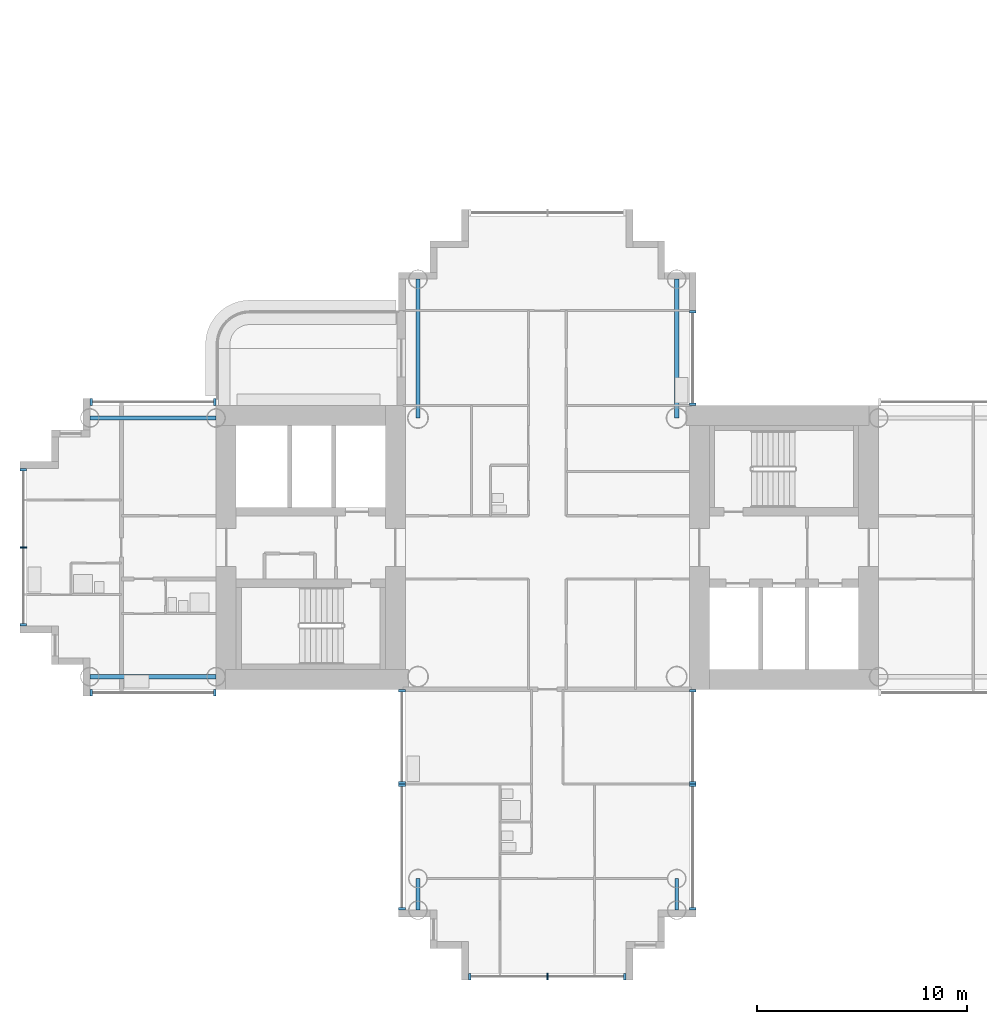
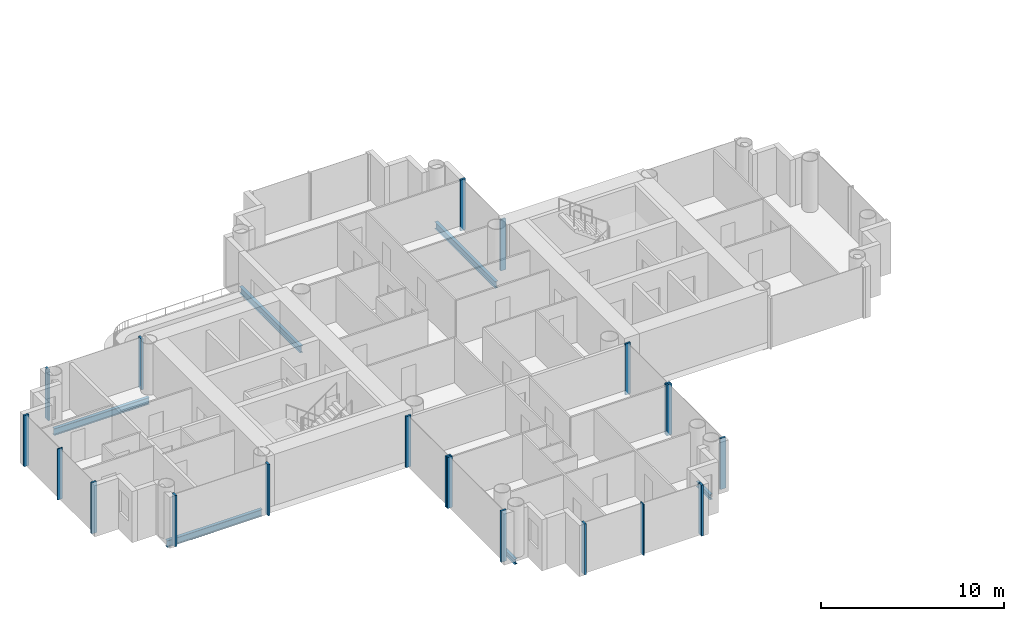
# One storey, part 3 of 22: 20 members, 6 beams, 9 elements without a shape of their own.
"""IFC4 building model written with IfcOpenShell, lengths in metres."""

from ifc_helpers import new_model, si_unit, direction, frame, origin, origin_2d, place, context, subcontext, project, spatial, rectangle, i_section, extrude, material, layer, layer_set, material_profile, profile_set, type_object, element, aggregate, save


model = new_model("IFC4")

# Units and contexts
model_context = context("Model", 3, precision=1e-05, world=origin(), true_north=direction((0.0, 1.0)))
body_context = subcontext(model_context, "Body", "Model", "MODEL_VIEW")
ifc_project = project(units=[si_unit("LENGTHUNIT", "METRE"), si_unit("AREAUNIT", "SQUARE_METRE"), si_unit("VOLUMEUNIT", "CUBIC_METRE"), si_unit("PLANEANGLEUNIT", "RADIAN"), si_unit("MASSUNIT", "GRAM", prefix="KILO")], contexts=[model_context])

# Site, building, storey
site_placement = place(None, origin())
site = spatial("IfcSite", under=ifc_project, at=site_placement, CompositionType="ELEMENT")
building_placement = place(site_placement, origin())
building = spatial("IfcBuilding", under=site, at=building_placement, Name="Ipe Terrace Towers", CompositionType="ELEMENT")
storey_placement = place(building_placement, frame((0.0, 0.0, 90.199951171875)))
storey = spatial("IfcBuildingStorey", under=building, at=storey_placement, Name="L24", CompositionType="ELEMENT", Elevation=90.199951171875)

# Beams
ifc_material_1 = material(Name="Steel S355", Category="steel")
ifc_material_profile_1 = material_profile(ifc_material_1, i_section(OverallWidth=0.175048828125, OverallDepth=0.35009765625, WebThickness=0.007080078125, FlangeThickness=0.010986328125, at=origin_2d()), Name="H-350x175x7x11")
ifc_profile_set_1 = profile_set([ifc_material_profile_1], Name="Steel S355")
beam_type_1 = type_object("IfcBeamType", Name="H04 EDGE BEAM H-350x175x7x11", PredefinedType="BEAM", material=ifc_profile_set_1)
for number, where, z_axis, x_axis, name in (
    (1, (-42.14990234375, -15.75, -0.574951171875), (0.0, -1.0, 0.0), (1.0, 0.0, 0.0), "Edge beam T1-EB-D03-D05"),
    (2, (-29.85009765625, -15.75, -0.574951171875), (0.0, -1.0, 0.0), (1.0, 0.0, 0.0), "Edge beam T1-EB-D04-D06"),
):
    element("IfcBeam", number, at=place(storey_placement, frame(where, z_axis=z_axis, x_axis=x_axis)), inside=storey, type_object=beam_type_1, Name=name, PredefinedType="BEAM", context=body_context, shape_type="SweptSolid", body=[
        extrude(i_section(OverallWidth=0.175048828125, OverallDepth=0.35009765625, WebThickness=0.007080078125, FlangeThickness=0.010986328125, at=origin_2d()), origin(), (0.0, 0.0, 1.0), 1.5),
    ])
ifc_material_2 = material(Name="Steel S355", Category="steel")
ifc_material_profile_2 = material_profile(ifc_material_2, i_section(OverallWidth=0.199951171875, OverallDepth=0.449951171875, WebThickness=0.009033203125, FlangeThickness=0.013916015625, at=origin_2d()), Name="H-450x200x9x14")
ifc_profile_set_2 = profile_set([ifc_material_profile_2], Name="Steel S355")
beam_type_2 = type_object("IfcBeamType", Name="H08 EDGE BEAM H-450x200x9x14", PredefinedType="BEAM", material=ifc_profile_set_2)
for number, where, z_axis, x_axis, name in (
    (3, (-29.85009765625, 12.75, -0.625), (0.0, -1.0, 0.0), (1.0, 0.0, 0.0), "Edge beam T1-EB-B01-E03"),
    (4, (-42.14990234375, 12.75, -0.625), (0.0, -1.0, 0.0), (1.0, 0.0, 0.0), "Edge beam T1-EB-B02-E04"),
):
    element("IfcBeam", number, at=place(storey_placement, frame(where, z_axis=z_axis, x_axis=x_axis)), inside=storey, type_object=beam_type_2, Name=name, PredefinedType="BEAM", context=body_context, shape_type="SweptSolid", body=[
        extrude(i_section(OverallWidth=0.199951171875, OverallDepth=0.449951171875, WebThickness=0.009033203125, FlangeThickness=0.013916015625, at=origin_2d()), origin(), (0.0, 0.0, 1.0), 6.60009765625),
    ])
for number, where, z_axis, x_axis, name in (
    (5, (-51.75, -6.14990234375, -0.625), (-1.0, 0.0, 0.0), (0.0, -1.0, 0.0), "Edge beam T1-EB-C01-C03"),
    (6, (-51.75, 6.14990234375, -0.625), (-1.0, 0.0, 0.0), (0.0, -1.0, 0.0), "Edge beam T1-EB-C02-C04"),
):
    element("IfcBeam", number, at=place(storey_placement, frame(where, z_axis=z_axis, x_axis=x_axis)), inside=storey, type_object=beam_type_2, Name=name, PredefinedType="BEAM", context=body_context, shape_type="SweptSolid", body=[
        extrude(i_section(OverallWidth=0.199951171875, OverallDepth=0.449951171875, WebThickness=0.009033203125, FlangeThickness=0.013916015625, at=origin_2d()), origin(), (0.0, 0.0, 1.0), 6.0),
    ])

# Curtain wall, members
ifc_material_3 = material(Name="Aluminium alloy 6063-T6", Category="aluminium")
ifc_layer = layer(ifc_material_3, 0.320068359375)
ifc_layer_set = layer_set([ifc_layer], Name="TOWER UNITISED CURTAIN WALL")
curtain_wall_type = type_object("IfcCurtainWallType", Name="TOWER UNITISED CURTAIN WALL", PredefinedType="NOTDEFINED", material=ifc_layer_set)
curtain_wall_1_placement = place(storey_placement, origin())
curtain_wall_1 = element("IfcCurtainWall", 7, at=curtain_wall_1_placement, inside=storey, type_object=curtain_wall_type, Name="T1-CW-L24-04a curtain wall", PredefinedType="NOTDEFINED")
ifc_material_4 = material(Name="Aluminium alloy 6063-T6", Category="aluminium")
ifc_material_profile_3 = material_profile(ifc_material_4, rectangle(XDim=0.320068359375, YDim=0.1201171875, at=origin_2d()), Name="TOWER UNITISED CORNER MULLION 320 x 120")
ifc_profile_set_3 = profile_set([ifc_material_profile_3], Name="Aluminium alloy 6063-T6")
member_type_1 = type_object("IfcMemberType", Name="TOWER UNITISED CORNER MULLION 320 x 120", PredefinedType="MULLION", material=ifc_profile_set_3)
member_1_placement = place(storey_placement, frame((-57.68994140625, -6.909912109375, -0.300048828125), z_axis=(0.0, 0.0, 1.0), x_axis=(0.0, -1.0, 0.0)))
member_1 = element("IfcMember", 8, at=member_1_placement, type_object=member_type_1, Name="T1-CW-L24-04a mullion 1", PredefinedType="MULLION", context=body_context, shape_type="SweptSolid", body=[
    extrude(rectangle(XDim=0.320068359375, YDim=0.1201171875, at=origin_2d()), origin(), (0.0, 0.0, 1.0), 3.400146484375),
])
member_2_placement = place(storey_placement, frame((-51.81103515625, -6.909912109375, -0.300048828125), z_axis=(0.0, 0.0, 1.0), x_axis=(0.0, -1.0, 0.0)))
member_2 = element("IfcMember", 9, at=member_2_placement, type_object=member_type_1, Name="T1-CW-L24-04a mullion 2", PredefinedType="MULLION", context=body_context, shape_type="SweptSolid", body=[
    extrude(rectangle(XDim=0.320068359375, YDim=0.1201171875, at=origin_2d()), origin(), (0.0, 0.0, 1.0), 3.400146484375),
])
aggregate(curtain_wall_1, [member_1, member_2])

curtain_wall_2_placement = place(storey_placement, origin())
curtain_wall_2 = element("IfcCurtainWall", 10, at=curtain_wall_2_placement, inside=storey, type_object=curtain_wall_type, Name="T1-CW-L24-06a curtain wall", PredefinedType="NOTDEFINED")
member_3_placement = place(storey_placement, frame((-42.909912109375, -6.81005859375, -0.300048828125), z_axis=(0.0, 0.0, 1.0), x_axis=(-1.0, 0.0, 0.0)))
member_3 = element("IfcMember", 11, at=member_3_placement, type_object=member_type_1, Name="T1-CW-L24-06a mullion 1", PredefinedType="MULLION", context=body_context, shape_type="SweptSolid", body=[
    extrude(rectangle(XDim=0.320068359375, YDim=0.1201171875, at=origin_2d()), origin(), (0.0, 0.0, 1.0), 3.400146484375),
])
member_4_placement = place(storey_placement, frame((-42.909912109375, -11.18994140625, -0.300048828125), z_axis=(0.0, 0.0, 1.0), x_axis=(-1.0, 0.0, 0.0)))
member_4 = element("IfcMember", 12, at=member_4_placement, type_object=member_type_1, Name="T1-CW-L24-06a mullion 2", PredefinedType="MULLION", context=body_context, shape_type="SweptSolid", body=[
    extrude(rectangle(XDim=0.320068359375, YDim=0.1201171875, at=origin_2d()), origin(), (0.0, 0.0, 1.0), 3.400146484375),
])
aggregate(curtain_wall_2, [member_3, member_4])

curtain_wall_3_placement = place(storey_placement, origin())
curtain_wall_3 = element("IfcCurtainWall", 13, at=curtain_wall_3_placement, inside=storey, type_object=curtain_wall_type, Name="T1-CW-L24-07a curtain wall", PredefinedType="NOTDEFINED")
member_5_placement = place(storey_placement, frame((-42.909912109375, -11.31005859375, -0.300048828125), z_axis=(0.0, 0.0, 1.0), x_axis=(-1.0, 0.0, 0.0)))
member_5 = element("IfcMember", 14, at=member_5_placement, type_object=member_type_1, Name="T1-CW-L24-07a mullion 1", PredefinedType="MULLION", context=body_context, shape_type="SweptSolid", body=[
    extrude(rectangle(XDim=0.320068359375, YDim=0.1201171875, at=origin_2d()), origin(), (0.0, 0.0, 1.0), 3.400146484375),
])
member_6_placement = place(storey_placement, frame((-42.909912109375, -17.18994140625, -0.300048828125), z_axis=(0.0, 0.0, 1.0), x_axis=(-1.0, 0.0, 0.0)))
member_6 = element("IfcMember", 15, at=member_6_placement, type_object=member_type_1, Name="T1-CW-L24-07a mullion 2", PredefinedType="MULLION", context=body_context, shape_type="SweptSolid", body=[
    extrude(rectangle(XDim=0.320068359375, YDim=0.1201171875, at=origin_2d()), origin(), (0.0, 0.0, 1.0), 3.400146484375),
])
aggregate(curtain_wall_3, [member_5, member_6])

curtain_wall_4_placement = place(storey_placement, origin())
curtain_wall_4 = element("IfcCurtainWall", 16, at=curtain_wall_4_placement, inside=storey, type_object=curtain_wall_type, Name="T1-CW-L24-12a curtain wall", PredefinedType="NOTDEFINED")
member_7_placement = place(storey_placement, frame((-39.68994140625, -20.409912109375, -0.300048828125), z_axis=(0.0, 0.0, 1.0), x_axis=(0.0, -1.0, 0.0)))
member_7 = element("IfcMember", 17, at=member_7_placement, type_object=member_type_1, Name="T1-CW-L24-12a mullion 1", PredefinedType="MULLION", context=body_context, shape_type="SweptSolid", body=[
    extrude(rectangle(XDim=0.320068359375, YDim=0.1201171875, at=origin_2d()), origin(), (0.0, 0.0, 1.0), 3.400146484375),
])
member_8_placement = place(storey_placement, frame((-32.31005859375, -20.409912109375, -0.300048828125), z_axis=(0.0, 0.0, 1.0), x_axis=(0.0, -1.0, 0.0)))
member_8 = element("IfcMember", 18, at=member_8_placement, type_object=member_type_1, Name="T1-CW-L24-12a mullion 3", PredefinedType="MULLION", context=body_context, shape_type="SweptSolid", body=[
    extrude(rectangle(XDim=0.320068359375, YDim=0.1201171875, at=origin_2d()), origin(), (0.0, 0.0, 1.0), 3.400146484375),
])

curtain_wall_5_placement = place(storey_placement, origin())
curtain_wall_5 = element("IfcCurtainWall", 19, at=curtain_wall_5_placement, inside=storey, type_object=curtain_wall_type, Name="T1-CW-L24-17a curtain wall", PredefinedType="NOTDEFINED")
member_9_placement = place(storey_placement, frame((-29.090087890625, -17.18994140625, -0.300048828125), z_axis=(0.0, 0.0, 1.0), x_axis=(1.0, 0.0, 0.0)))
member_9 = element("IfcMember", 20, at=member_9_placement, type_object=member_type_1, Name="T1-CW-L24-17a mullion 1", PredefinedType="MULLION", context=body_context, shape_type="SweptSolid", body=[
    extrude(rectangle(XDim=0.320068359375, YDim=0.1201171875, at=origin_2d()), origin(), (0.0, 0.0, 1.0), 3.400146484375),
])
member_10_placement = place(storey_placement, frame((-29.090087890625, -11.31005859375, -0.300048828125), z_axis=(0.0, 0.0, 1.0), x_axis=(1.0, 0.0, 0.0)))
member_10 = element("IfcMember", 21, at=member_10_placement, type_object=member_type_1, Name="T1-CW-L24-17a mullion 2", PredefinedType="MULLION", context=body_context, shape_type="SweptSolid", body=[
    extrude(rectangle(XDim=0.320068359375, YDim=0.1201171875, at=origin_2d()), origin(), (0.0, 0.0, 1.0), 3.400146484375),
])
aggregate(curtain_wall_5, [member_9, member_10])

curtain_wall_6_placement = place(storey_placement, origin())
curtain_wall_6 = element("IfcCurtainWall", 22, at=curtain_wall_6_placement, inside=storey, type_object=curtain_wall_type, Name="T1-CW-L24-18a curtain wall", PredefinedType="NOTDEFINED")
member_11_placement = place(storey_placement, frame((-29.090087890625, -11.18994140625, -0.300048828125), z_axis=(0.0, 0.0, 1.0), x_axis=(1.0, 0.0, 0.0)))
member_11 = element("IfcMember", 23, at=member_11_placement, type_object=member_type_1, Name="T1-CW-L24-18a mullion 1", PredefinedType="MULLION", context=body_context, shape_type="SweptSolid", body=[
    extrude(rectangle(XDim=0.320068359375, YDim=0.1201171875, at=origin_2d()), origin(), (0.0, 0.0, 1.0), 3.400146484375),
])
member_12_placement = place(storey_placement, frame((-29.090087890625, -6.81005859375, -0.300048828125), z_axis=(0.0, 0.0, 1.0), x_axis=(1.0, 0.0, 0.0)))
member_12 = element("IfcMember", 24, at=member_12_placement, type_object=member_type_1, Name="T1-CW-L24-18a mullion 2", PredefinedType="MULLION", context=body_context, shape_type="SweptSolid", body=[
    extrude(rectangle(XDim=0.320068359375, YDim=0.1201171875, at=origin_2d()), origin(), (0.0, 0.0, 1.0), 3.400146484375),
])
aggregate(curtain_wall_6, [member_11, member_12])

curtain_wall_7_placement = place(storey_placement, origin())
curtain_wall_7 = element("IfcCurtainWall", 25, at=curtain_wall_7_placement, inside=storey, type_object=curtain_wall_type, Name="T1-CW-L24-32a curtain wall", PredefinedType="NOTDEFINED")
member_13_placement = place(storey_placement, frame((-29.090087890625, 6.81005859375, -0.300048828125), z_axis=(0.0, 0.0, 1.0), x_axis=(1.0, 0.0, 0.0)))
member_13 = element("IfcMember", 26, at=member_13_placement, type_object=member_type_1, Name="T1-CW-L24-32a mullion 1", PredefinedType="MULLION", context=body_context, shape_type="SweptSolid", body=[
    extrude(rectangle(XDim=0.320068359375, YDim=0.1201171875, at=origin_2d()), origin(), (0.0, 0.0, 1.0), 3.400146484375),
])
member_14_placement = place(storey_placement, frame((-29.090087890625, 11.18994140625, -0.300048828125), z_axis=(0.0, 0.0, 1.0), x_axis=(1.0, 0.0, 0.0)))
member_14 = element("IfcMember", 27, at=member_14_placement, type_object=member_type_1, Name="T1-CW-L24-32a mullion 2", PredefinedType="MULLION", context=body_context, shape_type="SweptSolid", body=[
    extrude(rectangle(XDim=0.320068359375, YDim=0.1201171875, at=origin_2d()), origin(), (0.0, 0.0, 1.0), 3.400146484375),
])
aggregate(curtain_wall_7, [member_13, member_14])

curtain_wall_8_placement = place(storey_placement, origin())
curtain_wall_8 = element("IfcCurtainWall", 28, at=curtain_wall_8_placement, inside=storey, type_object=curtain_wall_type, Name="T1-CW-L24-46b curtain wall", PredefinedType="NOTDEFINED")
member_15_placement = place(storey_placement, frame((-51.81103515625, 6.909912109375, -0.300048828125), z_axis=(0.0, 0.0, 1.0), x_axis=(0.0, 1.0, 0.0)))
member_15 = element("IfcMember", 29, at=member_15_placement, type_object=member_type_1, Name="T1-CW-L24-46b mullion 1", PredefinedType="MULLION", context=body_context, shape_type="SweptSolid", body=[
    extrude(rectangle(XDim=0.320068359375, YDim=0.1201171875, at=origin_2d()), origin(), (0.0, 0.0, 1.0), 3.400146484375),
])
member_16_placement = place(storey_placement, frame((-57.68994140625, 6.909912109375, -0.300048828125), z_axis=(0.0, 0.0, 1.0), x_axis=(0.0, 1.0, 0.0)))
member_16 = element("IfcMember", 30, at=member_16_placement, type_object=member_type_1, Name="T1-CW-L24-46b mullion 2", PredefinedType="MULLION", context=body_context, shape_type="SweptSolid", body=[
    extrude(rectangle(XDim=0.320068359375, YDim=0.1201171875, at=origin_2d()), origin(), (0.0, 0.0, 1.0), 3.400146484375),
])
aggregate(curtain_wall_8, [member_15, member_16])

curtain_wall_9_placement = place(storey_placement, origin())
curtain_wall_9 = element("IfcCurtainWall", 31, at=curtain_wall_9_placement, inside=storey, type_object=curtain_wall_type, Name="T1-CW-L24-51a curtain wall", PredefinedType="NOTDEFINED")
member_17_placement = place(storey_placement, frame((-60.909912109375, 3.68994140625, -0.300048828125), z_axis=(0.0, 0.0, 1.0), x_axis=(-1.0, 0.0, 0.0)))
member_17 = element("IfcMember", 32, at=member_17_placement, type_object=member_type_1, Name="T1-CW-L24-51a mullion 1", PredefinedType="MULLION", context=body_context, shape_type="SweptSolid", body=[
    extrude(rectangle(XDim=0.320068359375, YDim=0.1201171875, at=origin_2d()), origin(), (0.0, 0.0, 1.0), 3.400146484375),
])
member_18_placement = place(storey_placement, frame((-60.909912109375, -3.68994140625, -0.300048828125), z_axis=(0.0, 0.0, 1.0), x_axis=(-1.0, 0.0, 0.0)))
member_18 = element("IfcMember", 33, at=member_18_placement, type_object=member_type_1, Name="T1-CW-L24-51a mullion 3", PredefinedType="MULLION", context=body_context, shape_type="SweptSolid", body=[
    extrude(rectangle(XDim=0.320068359375, YDim=0.1201171875, at=origin_2d()), origin(), (0.0, 0.0, 1.0), 3.400146484375),
])

# Member
ifc_material_5 = material(Name="Aluminium alloy 6063-T6", Category="aluminium")
ifc_material_profile_4 = material_profile(ifc_material_5, rectangle(XDim=0.320068359375, YDim=0.06494140625, at=origin_2d()), Name="TOWER UNITISED MULLION 320 x 65")
ifc_profile_set_4 = profile_set([ifc_material_profile_4], Name="Aluminium alloy 6063-T6")
member_type_2 = type_object("IfcMemberType", Name="TOWER UNITISED MULLION 320 x 65", PredefinedType="MULLION", material=ifc_profile_set_4)
member_19_placement = place(storey_placement, frame((-36.0, -20.409912109375, -0.300048828125), z_axis=(0.0, 0.0, 1.0), x_axis=(0.0, -1.0, 0.0)))
member_19 = element("IfcMember", 34, at=member_19_placement, type_object=member_type_2, Name="T1-CW-L24-12a mullion 2", PredefinedType="MULLION", context=body_context, shape_type="SweptSolid", body=[
    extrude(rectangle(XDim=0.320068359375, YDim=0.06494140625, at=origin_2d()), origin(), (0.0, 0.0, 1.0), 3.400146484375),
])

aggregate(curtain_wall_4, [member_7, member_19, member_8])

member_20_placement = place(storey_placement, frame((-60.909912109375, 0.0, -0.300048828125), z_axis=(0.0, 0.0, 1.0), x_axis=(-1.0, 0.0, 0.0)))
member_20 = element("IfcMember", 35, at=member_20_placement, type_object=member_type_2, Name="T1-CW-L24-51a mullion 2", PredefinedType="MULLION", context=body_context, shape_type="SweptSolid", body=[
    extrude(rectangle(XDim=0.320068359375, YDim=0.06494140625, at=origin_2d()), origin(), (0.0, 0.0, 1.0), 3.400146484375),
])

aggregate(curtain_wall_9, [member_17, member_20, member_18])

save(model, "model.ifc")
